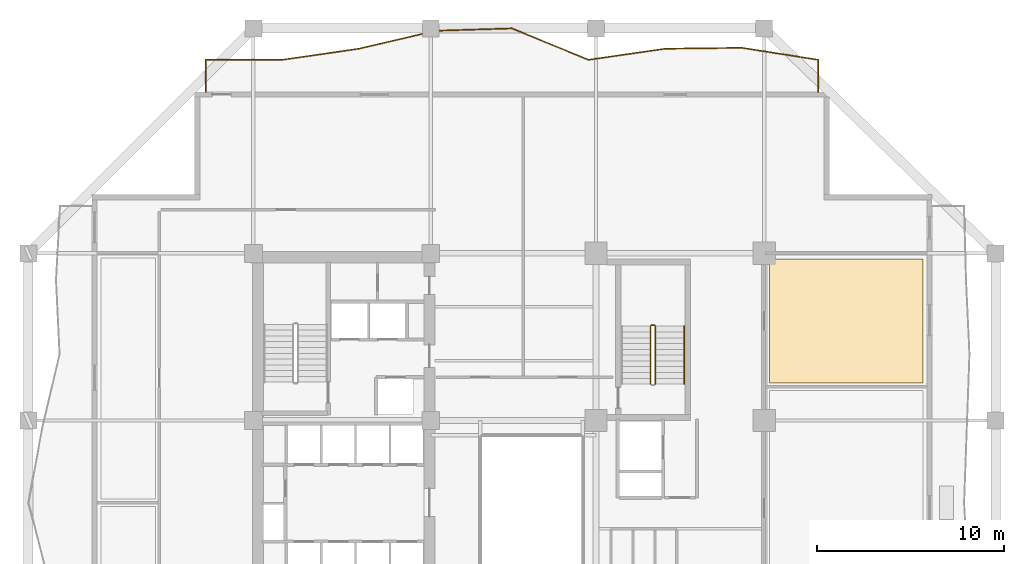
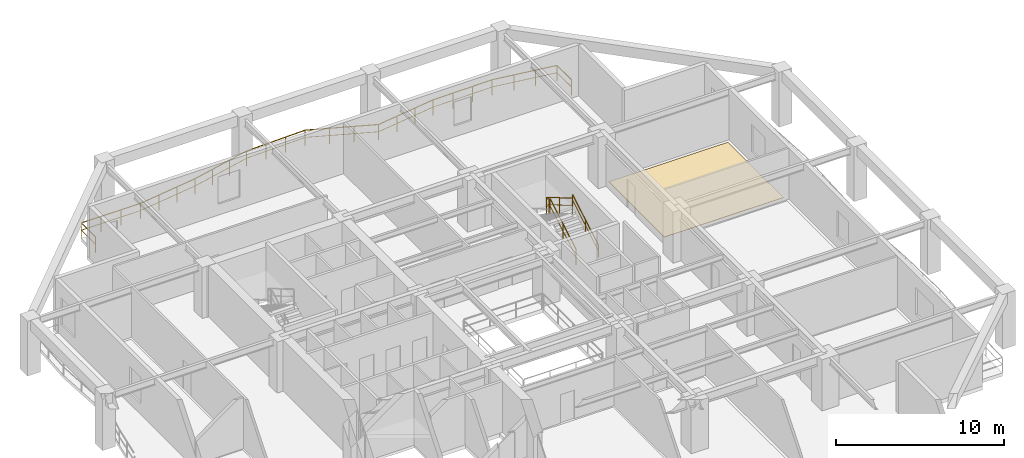
# One storey, part 11 of 12: 5 railings, 1 covering.
"""IFC4 building model written with IfcOpenShell, lengths in metres."""

from ifc_helpers import new_model, si_unit, direction, frame, origin, origin_2d, place, context, subcontext, project, spatial, polyline, rectangle, outline, extrude, material, layer, layer_set, type_object, element, save


model = new_model("IFC4")

# Units and contexts
model_context = context("Model", 3, precision=1e-05, world=origin(), true_north=direction((0.0, 1.0)))
body_context = subcontext(model_context, "Body", "Model", "MODEL_VIEW")
ifc_project = project(units=[si_unit("LENGTHUNIT", "METRE"), si_unit("AREAUNIT", "SQUARE_METRE"), si_unit("VOLUMEUNIT", "CUBIC_METRE"), si_unit("PLANEANGLEUNIT", "RADIAN"), si_unit("MASSUNIT", "GRAM", prefix="KILO")], contexts=[model_context])

# Site, building, storey
site_placement = place(None, origin())
site = spatial("IfcSite", under=ifc_project, at=site_placement, CompositionType="ELEMENT")
building_placement = place(site_placement, origin())
building = spatial("IfcBuilding", under=site, at=building_placement, Name="Kundavana Baori Tower", CompositionType="ELEMENT")
storey_placement = place(building_placement, frame((0.0, 0.0, 46.0)))
storey = spatial("IfcBuildingStorey", under=building, at=storey_placement, Name="L10", CompositionType="ELEMENT", Elevation=46.0)

# Covering
ifc_material_1 = material(Name="Honed Kota Stone and Terrazzo Flooring", Category="masonry")
ifc_layer = layer(ifc_material_1, 0.030029296875, Name="COV-INT-FLR")
ifc_layer_set = layer_set([ifc_layer], Name="Honed Kota Stone and Terrazzo Flooring")
covering_type = type_object("IfcCoveringType", Name="COV-INT-FLR", PredefinedType="FLOORING", material=ifc_layer_set)
covering_placement = place(storey_placement, origin())
element("IfcCovering", 1, at=covering_placement, inside=storey, type_object=covering_type, Name="L10 Room Finished Stone Flooring 7", PredefinedType="FLOORING", context=body_context, shape_type="SweptSolid", body=[
    extrude(outline(polyline([(43.10009765625, 35.0), (51.320068359375, 35.0), (51.320068359375, 41.64990234375), (43.10009765625, 41.64990234375), (43.10009765625, 35.0)])), origin(), (0.0, 0.0, 1.0), 0.030029296875),
])

# Railings
ifc_material_2 = material(Name="Architectural Patinated Bronze Metalwork")
railing_type_1 = type_object("IfcRailingType", Name="RL-BAL-1150", PredefinedType="BALUSTRADE", material=ifc_material_2)
railing_1_placement = place(storey_placement, frame((12.89990234375, 50.60009765625, 0.0)))
element("IfcRailing", 2, at=railing_1_placement, inside=storey, type_object=railing_type_1, Name="L10 Loggia Balcony Balustrade N", PredefinedType="BALUSTRADE", context=body_context, shape_type="SweptSolid", body=[
    extrude(rectangle(XDim=0.048095703125, YDim=0.048095703125, at=origin_2d()), frame((0.0, 0.0, 1.1259765625), z_axis=(0.0, 1.0, 0.0), x_axis=(-1.0, 0.0, 0.0)), (0.0, 0.0, 1.0), 1.719970703125),
    extrude(rectangle(XDim=0.03125, YDim=0.03125, at=origin_2d()), frame((0.0, 0.0, 0.597900390625), z_axis=(0.0, 1.0, 0.0), x_axis=(-1.0, 0.0, 0.0)), (0.0, 0.0, 1.0), 1.719970703125),
    extrude(rectangle(XDim=0.048095703125, YDim=0.048095703125, at=origin_2d()), frame((0.0, 1.719970703125, 1.1259765625), z_axis=(1.0, 0.0, 0.0), x_axis=(0.0, 1.0, 0.0)), (0.0, 0.0, 1.0), 4.10009765625),
    extrude(rectangle(XDim=0.03125, YDim=0.03125, at=origin_2d()), frame((0.0, 1.719970703125, 0.597900390625), z_axis=(1.0, 0.0, 0.0), x_axis=(0.0, 1.0, 0.0)), (0.0, 0.0, 1.0), 4.10009765625),
    extrude(rectangle(XDim=0.048095703125, YDim=0.048095703125, at=origin_2d()), frame((4.10009765625, 1.719970703125, 1.1259765625), z_axis=(0.989668235083, 0.143376373464, 0.0), x_axis=(-0.143376373464, 0.989668235083, 0.0)), (0.0, 0.0, 1.0), 4.142822265625),
    extrude(rectangle(XDim=0.03125, YDim=0.03125, at=origin_2d()), frame((4.10009765625, 1.719970703125, 0.597900390625), z_axis=(0.989668235083, 0.143376373464, 0.0), x_axis=(-0.143376373464, 0.989668235083, 0.0)), (0.0, 0.0, 1.0), 4.142822265625),
    extrude(rectangle(XDim=0.048095703125, YDim=0.048095703125, at=origin_2d()), frame((8.2001953125, 2.31396484375, 1.1259765625), z_axis=(0.973768875809, 0.227539395503, 0.0), x_axis=(-0.227539395503, 0.973768875809, 0.0)), (0.0, 0.0, 1.0), 4.210205078125),
    extrude(rectangle(XDim=0.03125, YDim=0.03125, at=origin_2d()), frame((8.2001953125, 2.31396484375, 0.597900390625), z_axis=(0.973768875809, 0.227539395503, 0.0), x_axis=(-0.227539395503, 0.973768875809, 0.0)), (0.0, 0.0, 1.0), 4.210205078125),
    extrude(rectangle(XDim=0.048095703125, YDim=0.048095703125, at=origin_2d()), frame((12.300048828125, 3.27197265625, 1.1259765625), z_axis=(0.999513584597, 0.031186442678, 0.0), x_axis=(-0.031186442678, 0.999513584597, 0.0)), (0.0, 0.0, 1.0), 4.10205078125),
    extrude(rectangle(XDim=0.03125, YDim=0.03125, at=origin_2d()), frame((12.300048828125, 3.27197265625, 0.597900390625), z_axis=(0.999513584597, 0.031186442678, 0.0), x_axis=(-0.031186442678, 0.999513584597, 0.0)), (0.0, 0.0, 1.0), 4.10205078125),
    extrude(rectangle(XDim=0.048095703125, YDim=0.048095703125, at=origin_2d()), frame((16.400146484375, 3.39990234375, 1.1259765625), z_axis=(0.92533176194, -0.379158450182, 0.0), x_axis=(0.379158450182, 0.92533176194, 0.0)), (0.0, 0.0, 1.0), 4.4306640625),
    extrude(rectangle(XDim=0.03125, YDim=0.03125, at=origin_2d()), frame((16.400146484375, 3.39990234375, 0.597900390625), z_axis=(0.92533176194, -0.379158450182, 0.0), x_axis=(0.379158450182, 0.92533176194, 0.0)), (0.0, 0.0, 1.0), 4.4306640625),
    extrude(rectangle(XDim=0.048095703125, YDim=0.048095703125, at=origin_2d()), frame((20.5, 1.719970703125, 1.1259765625), z_axis=(0.989668235083, 0.143376373464, 0.0), x_axis=(-0.143376373464, 0.989668235083, 0.0)), (0.0, 0.0, 1.0), 4.142822265625),
    extrude(rectangle(XDim=0.03125, YDim=0.03125, at=origin_2d()), frame((20.5, 1.719970703125, 0.597900390625), z_axis=(0.989668235083, 0.143376373464, 0.0), x_axis=(-0.143376373464, 0.989668235083, 0.0)), (0.0, 0.0, 1.0), 4.142822265625),
    extrude(rectangle(XDim=0.048095703125, YDim=0.048095703125, at=origin_2d()), frame((24.60009765625, 2.31396484375, 1.1259765625), z_axis=(0.999929095221, 0.011908170718, 0.0), x_axis=(-0.011908170718, 0.999929095221, 0.0)), (0.0, 0.0, 1.0), 4.100341796875),
    extrude(rectangle(XDim=0.03125, YDim=0.03125, at=origin_2d()), frame((24.60009765625, 2.31396484375, 0.597900390625), z_axis=(0.999929095221, 0.011908170718, 0.0), x_axis=(-0.011908170718, 0.999929095221, 0.0)), (0.0, 0.0, 1.0), 4.100341796875),
    extrude(rectangle(XDim=0.048095703125, YDim=0.048095703125, at=origin_2d()), frame((28.7001953125, 2.36279296875, 1.1259765625), z_axis=(0.987930296603, -0.154899093131, 0.0), x_axis=(0.154899093131, 0.987930296603, 0.0)), (0.0, 0.0, 1.0), 4.14990234375),
    extrude(rectangle(XDim=0.03125, YDim=0.03125, at=origin_2d()), frame((28.7001953125, 2.36279296875, 0.597900390625), z_axis=(0.987930296603, -0.154899093131, 0.0), x_axis=(0.154899093131, 0.987930296603, 0.0)), (0.0, 0.0, 1.0), 4.14990234375),
    extrude(rectangle(XDim=0.048095703125, YDim=0.048095703125, at=origin_2d()), frame((32.800048828125, 1.719970703125, 1.1259765625), z_axis=(0.0, -1.0, 0.0), x_axis=(1.0, 0.0, 0.0)), (0.0, 0.0, 1.0), 1.719970703125),
    extrude(rectangle(XDim=0.03125, YDim=0.03125, at=origin_2d()), frame((32.800048828125, 1.719970703125, 0.597900390625), z_axis=(0.0, -1.0, 0.0), x_axis=(1.0, 0.0, 0.0)), (0.0, 0.0, 1.0), 1.719970703125),
    extrude(rectangle(XDim=0.0419921875, YDim=0.0419921875, at=origin_2d()), origin(), (0.0, 0.0, 1.0), 1.101806640625),
    extrude(rectangle(XDim=0.0419921875, YDim=0.0419921875, at=origin_2d()), frame((0.0, 1.719970703125, 0.0)), (0.0, 0.0, 1.0), 1.101806640625),
    extrude(rectangle(XDim=0.0419921875, YDim=0.0419921875, at=origin_2d()), frame((1.36669921875, 1.719970703125, 0.0)), (0.0, 0.0, 1.0), 1.101806640625),
    extrude(rectangle(XDim=0.0419921875, YDim=0.0419921875, at=origin_2d()), frame((2.7333984375, 1.719970703125, 0.0)), (0.0, 0.0, 1.0), 1.101806640625),
    extrude(rectangle(XDim=0.0419921875, YDim=0.0419921875, at=origin_2d()), frame((4.10009765625, 1.719970703125, 0.0)), (0.0, 0.0, 1.0), 1.101806640625),
    extrude(rectangle(XDim=0.0419921875, YDim=0.0419921875, at=origin_2d()), frame((5.466796875, 1.91796875, 0.0)), (0.0, 0.0, 1.0), 1.101806640625),
    extrude(rectangle(XDim=0.0419921875, YDim=0.0419921875, at=origin_2d()), frame((6.83349609375, 2.115966796875, 0.0)), (0.0, 0.0, 1.0), 1.101806640625),
    extrude(rectangle(XDim=0.0419921875, YDim=0.0419921875, at=origin_2d()), frame((8.2001953125, 2.31396484375, 0.0)), (0.0, 0.0, 1.0), 1.101806640625),
    extrude(rectangle(XDim=0.0419921875, YDim=0.0419921875, at=origin_2d()), frame((9.56689453125, 2.63330078125, 0.0)), (0.0, 0.0, 1.0), 1.101806640625),
    extrude(rectangle(XDim=0.0419921875, YDim=0.0419921875, at=origin_2d()), frame((10.933349609375, 2.95263671875, 0.0)), (0.0, 0.0, 1.0), 1.101806640625),
    extrude(rectangle(XDim=0.0419921875, YDim=0.0419921875, at=origin_2d()), frame((12.300048828125, 3.27197265625, 0.0)), (0.0, 0.0, 1.0), 1.101806640625),
    extrude(rectangle(XDim=0.0419921875, YDim=0.0419921875, at=origin_2d()), frame((13.666748046875, 3.314697265625, 0.0)), (0.0, 0.0, 1.0), 1.101806640625),
    extrude(rectangle(XDim=0.0419921875, YDim=0.0419921875, at=origin_2d()), frame((15.033447265625, 3.357177734375, 0.0)), (0.0, 0.0, 1.0), 1.101806640625),
    extrude(rectangle(XDim=0.0419921875, YDim=0.0419921875, at=origin_2d()), frame((16.400146484375, 3.39990234375, 0.0)), (0.0, 0.0, 1.0), 1.101806640625),
    extrude(rectangle(XDim=0.0419921875, YDim=0.0419921875, at=origin_2d()), frame((17.766845703125, 2.83984375, 0.0)), (0.0, 0.0, 1.0), 1.101806640625),
    extrude(rectangle(XDim=0.0419921875, YDim=0.0419921875, at=origin_2d()), frame((19.13330078125, 2.280029296875, 0.0)), (0.0, 0.0, 1.0), 1.101806640625),
    extrude(rectangle(XDim=0.0419921875, YDim=0.0419921875, at=origin_2d()), frame((20.5, 1.719970703125, 0.0)), (0.0, 0.0, 1.0), 1.101806640625),
    extrude(rectangle(XDim=0.0419921875, YDim=0.0419921875, at=origin_2d()), frame((21.86669921875, 1.91796875, 0.0)), (0.0, 0.0, 1.0), 1.101806640625),
    extrude(rectangle(XDim=0.0419921875, YDim=0.0419921875, at=origin_2d()), frame((23.2333984375, 2.115966796875, 0.0)), (0.0, 0.0, 1.0), 1.101806640625),
    extrude(rectangle(XDim=0.0419921875, YDim=0.0419921875, at=origin_2d()), frame((24.60009765625, 2.31396484375, 0.0)), (0.0, 0.0, 1.0), 1.101806640625),
    extrude(rectangle(XDim=0.0419921875, YDim=0.0419921875, at=origin_2d()), frame((25.966796875, 2.330322265625, 0.0)), (0.0, 0.0, 1.0), 1.101806640625),
    extrude(rectangle(XDim=0.0419921875, YDim=0.0419921875, at=origin_2d()), frame((27.33349609375, 2.346435546875, 0.0)), (0.0, 0.0, 1.0), 1.101806640625),
    extrude(rectangle(XDim=0.0419921875, YDim=0.0419921875, at=origin_2d()), frame((28.7001953125, 2.36279296875, 0.0)), (0.0, 0.0, 1.0), 1.101806640625),
    extrude(rectangle(XDim=0.0419921875, YDim=0.0419921875, at=origin_2d()), frame((30.06689453125, 2.1484375, 0.0)), (0.0, 0.0, 1.0), 1.101806640625),
    extrude(rectangle(XDim=0.0419921875, YDim=0.0419921875, at=origin_2d()), frame((31.433349609375, 1.934326171875, 0.0)), (0.0, 0.0, 1.0), 1.101806640625),
    extrude(rectangle(XDim=0.0419921875, YDim=0.0419921875, at=origin_2d()), frame((32.800048828125, 1.719970703125, 0.0)), (0.0, 0.0, 1.0), 1.101806640625),
    extrude(rectangle(XDim=0.0419921875, YDim=0.0419921875, at=origin_2d()), frame((32.800048828125, 0.0, 0.0)), (0.0, 0.0, 1.0), 1.101806640625),
])
ifc_material_3 = material(Name="Architectural Patinated Bronze Metalwork")
railing_type_2 = type_object("IfcRailingType", Name="RL-GRD-1150", PredefinedType="GUARDRAIL", material=ifc_material_3)
railing_2_placement = place(storey_placement, frame((36.97998046875, 34.949951171875, 0.181884765625)))
element("IfcRailing", 3, at=railing_2_placement, inside=storey, type_object=railing_type_2, Name="L10 ST3 stair guard 1", PredefinedType="GUARDRAIL", context=body_context, shape_type="SweptSolid", body=[
    extrude(rectangle(XDim=0.048095703125, YDim=0.048095703125, at=origin_2d()), frame((0.0, 0.0, 1.1259765625), z_axis=(0.0, 0.862598821094, 0.505888598258), x_axis=(-1.0, 0.0, 0.0)), (0.0, 0.0, 1.0), 3.593994140625),
    extrude(rectangle(XDim=0.03125, YDim=0.03125, at=origin_2d()), frame((0.0, 0.0, 0.597900390625), z_axis=(0.0, 0.862598821094, 0.505888598258), x_axis=(-1.0, 0.0, 0.0)), (0.0, 0.0, 1.0), 3.593994140625),
    extrude(rectangle(XDim=0.0419921875, YDim=0.0419921875, at=origin_2d()), origin(), (0.0, 0.0, 1.0), 1.101806640625),
    extrude(rectangle(XDim=0.0419921875, YDim=0.0419921875, at=origin_2d()), frame((0.0, 1.550048828125, 0.9091796875)), (0.0, 0.0, 1.0), 1.101806640625),
    extrude(rectangle(XDim=0.0419921875, YDim=0.0419921875, at=origin_2d()), frame((0.0, 3.10009765625, 1.818115234375)), (0.0, 0.0, 1.0), 1.101806640625),
])
railing_3_placement = place(storey_placement, frame((36.929931640625, 38.10009765625, 2.0)))
element("IfcRailing", 4, at=railing_3_placement, inside=storey, type_object=railing_type_2, Name="L10 ST3 stair guard 2", PredefinedType="GUARDRAIL", context=body_context, shape_type="SweptSolid", body=[
    extrude(rectangle(XDim=0.048095703125, YDim=0.048095703125, at=origin_2d()), frame((0.0, 0.0, 1.1259765625), z_axis=(-1.0, 0.0, 0.0), x_axis=(0.0, -1.0, 0.0)), (0.0, 0.0, 1.0), 0.159912109375),
    extrude(rectangle(XDim=0.03125, YDim=0.03125, at=origin_2d()), frame((0.0, 0.0, 0.597900390625), z_axis=(-1.0, 0.0, 0.0), x_axis=(0.0, -1.0, 0.0)), (0.0, 0.0, 1.0), 0.159912109375),
    extrude(rectangle(XDim=0.0419921875, YDim=0.0419921875, at=origin_2d()), origin(), (0.0, 0.0, 1.0), 1.101806640625),
    extrude(rectangle(XDim=0.0419921875, YDim=0.0419921875, at=origin_2d()), frame((-0.159912109375, 0.0, 0.0)), (0.0, 0.0, 1.0), 1.101806640625),
])
railing_4_placement = place(storey_placement, frame((36.719970703125, 38.050048828125, 2.181884765625)))
element("IfcRailing", 5, at=railing_4_placement, inside=storey, type_object=railing_type_2, Name="L10 ST3 stair guard 3", PredefinedType="GUARDRAIL", context=body_context, shape_type="SweptSolid", body=[
    extrude(rectangle(XDim=0.048095703125, YDim=0.048095703125, at=origin_2d()), frame((0.0, 0.0, 1.1259765625), z_axis=(0.0, -0.862598821094, 0.505888598258), x_axis=(1.0, 0.0, 0.0)), (0.0, 0.0, 1.0), 3.593994140625),
    extrude(rectangle(XDim=0.03125, YDim=0.03125, at=origin_2d()), frame((0.0, 0.0, 0.597900390625), z_axis=(0.0, -0.862598821094, 0.505888598258), x_axis=(1.0, 0.0, 0.0)), (0.0, 0.0, 1.0), 3.593994140625),
    extrude(rectangle(XDim=0.0419921875, YDim=0.0419921875, at=origin_2d()), origin(), (0.0, 0.0, 1.0), 1.101806640625),
    extrude(rectangle(XDim=0.0419921875, YDim=0.0419921875, at=origin_2d()), frame((0.0, -1.550048828125, 0.9091796875)), (0.0, 0.0, 1.0), 1.101806640625),
    extrude(rectangle(XDim=0.0419921875, YDim=0.0419921875, at=origin_2d()), frame((0.0, -3.10009765625, 1.818115234375)), (0.0, 0.0, 1.0), 1.101806640625),
])
ifc_material_4 = material(Name="Architectural Patinated Bronze Metalwork")
railing_type_3 = type_object("IfcRailingType", Name="RL-HND-920", PredefinedType="HANDRAIL", material=ifc_material_4)
railing_5_placement = place(storey_placement, frame((38.530029296875, 34.949951171875, 0.181884765625)))
element("IfcRailing", 6, at=railing_5_placement, inside=storey, type_object=railing_type_3, Name="L10 ST3 stair handrail 1", PredefinedType="HANDRAIL", context=body_context, shape_type="SweptSolid", body=[
    extrude(rectangle(XDim=0.048095703125, YDim=0.048095703125, at=origin_2d()), frame((0.0, 0.0, 0.8759765625), z_axis=(0.0, 0.862598821094, 0.505888598258), x_axis=(-1.0, 0.0, 0.0)), (0.0, 0.0, 1.0), 3.593994140625),
    extrude(rectangle(XDim=0.03125, YDim=0.03125, at=origin_2d()), frame((0.0, 0.0, 0.468017578125), z_axis=(0.0, 0.862598821094, 0.505888598258), x_axis=(-1.0, 0.0, 0.0)), (0.0, 0.0, 1.0), 3.593994140625),
    extrude(rectangle(XDim=0.0419921875, YDim=0.0419921875, at=origin_2d()), origin(), (0.0, 0.0, 1.0), 0.851806640625),
    extrude(rectangle(XDim=0.0419921875, YDim=0.0419921875, at=origin_2d()), frame((0.0, 1.550048828125, 0.9091796875)), (0.0, 0.0, 1.0), 0.851806640625),
    extrude(rectangle(XDim=0.0419921875, YDim=0.0419921875, at=origin_2d()), frame((0.0, 3.10009765625, 1.818115234375)), (0.0, 0.0, 1.0), 0.851806640625),
])

save(model, "model.ifc")
